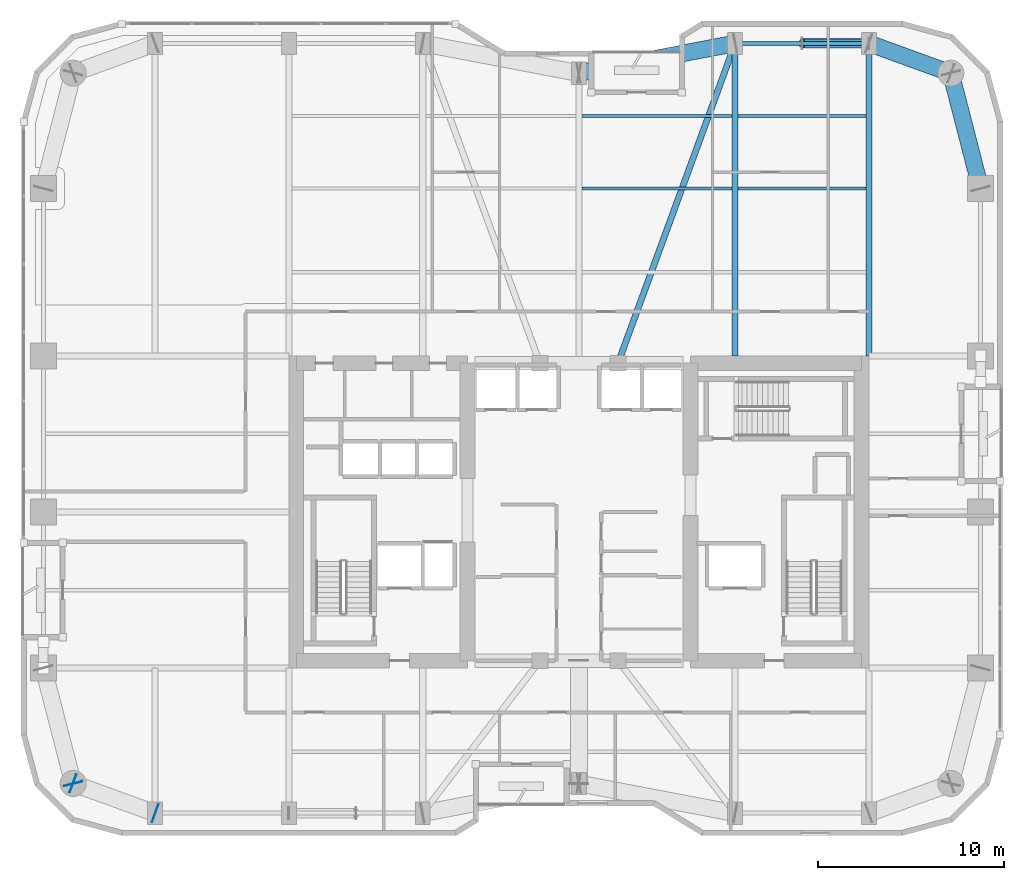
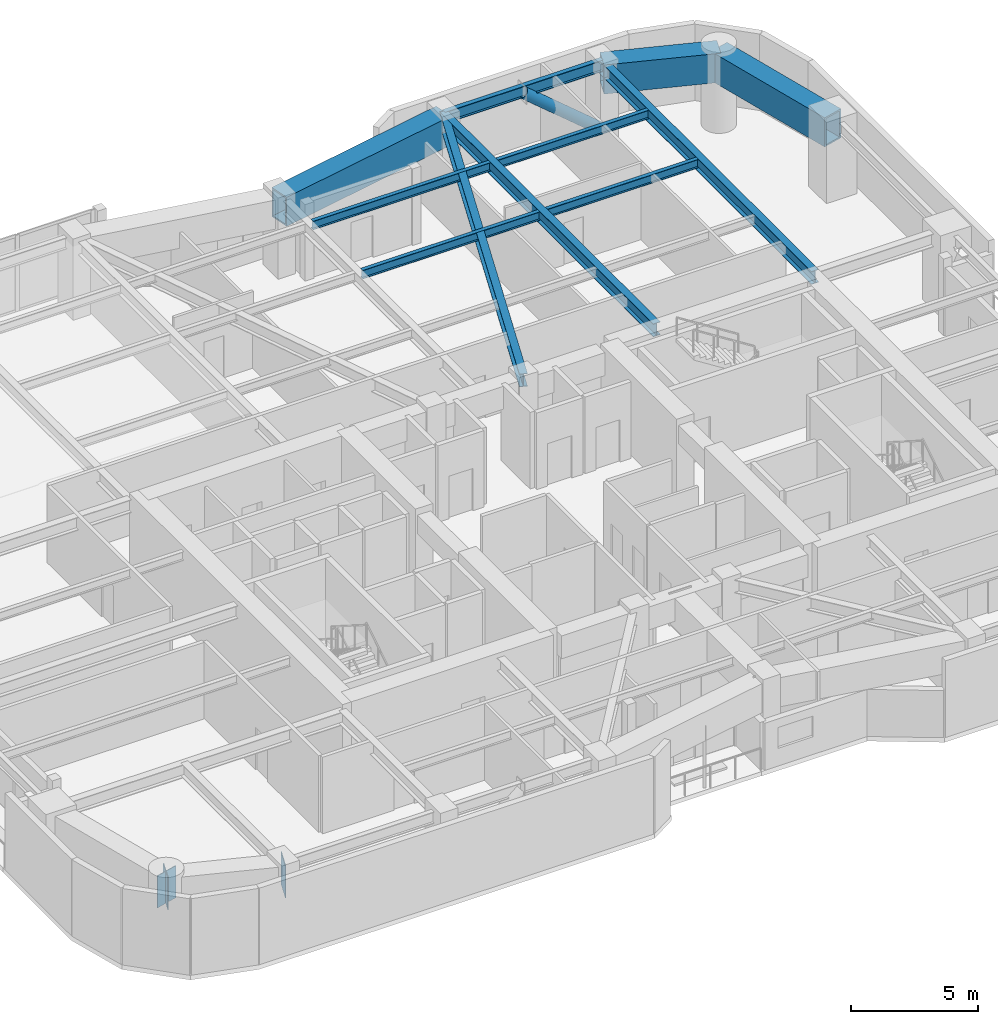
# One storey, part 20 of 30: 11 beams, 3 plates, 1 member.
"""IFC4 building model written with IfcOpenShell, lengths in metres."""

from ifc_helpers import new_model, si_unit, direction, frame, origin, origin_2d, place, context, subcontext, project, spatial, rectangle, hollow_rectangle, hollow_circle, i_section, extrude, material, layer, layer_set, material_profile, profile_set, type_object, element, save


model = new_model("IFC4")

# Units and contexts
model_context = context("Model", 3, precision=1e-05, world=origin(), true_north=direction((0.0, 1.0)))
body_context = subcontext(model_context, "Body", "Model", "MODEL_VIEW")
ifc_project = project(units=[si_unit("LENGTHUNIT", "METRE"), si_unit("AREAUNIT", "SQUARE_METRE"), si_unit("VOLUMEUNIT", "CUBIC_METRE"), si_unit("PLANEANGLEUNIT", "RADIAN"), si_unit("MASSUNIT", "GRAM", prefix="KILO")], contexts=[model_context])

# Site, building, storey
site_placement = place(None, origin())
site = spatial("IfcSite", under=ifc_project, at=site_placement, CompositionType="ELEMENT")
building_placement = place(site_placement, origin())
building = spatial("IfcBuilding", under=site, at=building_placement, Name="Kiyonajd Concourse Tower", CompositionType="ELEMENT")
storey_placement = place(building_placement, frame((0.0, 0.0, 150.60009765625)))
storey = spatial("IfcBuildingStorey", under=building, at=storey_placement, Name="L38", CompositionType="ELEMENT", Elevation=150.60009765625)

# Beams
ifc_material_1 = material(Name="Steel ASTM A992 Grade 50", Category="steel")
ifc_material_profile_1 = material_profile(ifc_material_1, i_section(OverallWidth=0.180908203125, OverallDepth=0.4169921875, WebThickness=0.010986328125, FlangeThickness=0.018310546875, at=origin_2d()), Name="W410X85")
ifc_profile_set_1 = profile_set([ifc_material_profile_1], Name="Steel ASTM A992 Grade 50")
beam_type_1 = type_object("IfcBeamType", Name="BM-JST-410", PredefinedType="JOIST", material=ifc_profile_set_1)
beam_1_placement = place(storey_placement, frame((48.16357421875, 53.39990234375, 3.471435546875), z_axis=(1.0, 0.0, 0.0), x_axis=(0.0, 1.0, 0.0)))
element("IfcBeam", 1, at=beam_1_placement, inside=storey, type_object=beam_type_1, Name="L38 Secondary Floor Joist", PredefinedType="JOIST", context=body_context, shape_type="SweptSolid", body=[
    extrude(i_section(OverallWidth=0.180908203125, OverallDepth=0.4169921875, WebThickness=0.010986328125, FlangeThickness=0.018310546875, at=origin_2d()), origin(), (0.0, 0.0, 1.0), 8.072998046875),
])
beam_2_placement = place(storey_placement, frame((56.5634765625, 53.39990234375, 3.471435546875), z_axis=(1.0, 0.0, 0.0), x_axis=(0.0, 1.0, 0.0)))
element("IfcBeam", 2, at=beam_2_placement, inside=storey, type_object=beam_type_1, Name="L38 Secondary Floor Joist", PredefinedType="JOIST", context=body_context, shape_type="SweptSolid", body=[
    extrude(i_section(OverallWidth=0.180908203125, OverallDepth=0.4169921875, WebThickness=0.010986328125, FlangeThickness=0.018310546875, at=origin_2d()), origin(), (0.0, 0.0, 1.0), 6.873046875),
])
beam_3_placement = place(storey_placement, frame((48.16357421875, 57.300048828125, 3.471435546875), z_axis=(1.0, 0.0, 0.0), x_axis=(0.0, 1.0, 0.0)))
element("IfcBeam", 3, at=beam_3_placement, inside=storey, type_object=beam_type_1, Name="L38 Secondary Floor Joist", PredefinedType="JOIST", context=body_context, shape_type="SweptSolid", body=[
    extrude(i_section(OverallWidth=0.180908203125, OverallDepth=0.4169921875, WebThickness=0.010986328125, FlangeThickness=0.018310546875, at=origin_2d()), origin(), (0.0, 0.0, 1.0), 8.072998046875),
])
beam_4_placement = place(storey_placement, frame((56.5634765625, 57.300048828125, 3.471435546875), z_axis=(1.0, 0.0, 0.0), x_axis=(0.0, 1.0, 0.0)))
element("IfcBeam", 4, at=beam_4_placement, inside=storey, type_object=beam_type_1, Name="L38 Secondary Floor Joist", PredefinedType="JOIST", context=body_context, shape_type="SweptSolid", body=[
    extrude(i_section(OverallWidth=0.180908203125, OverallDepth=0.4169921875, WebThickness=0.010986328125, FlangeThickness=0.018310546875, at=origin_2d()), origin(), (0.0, 0.0, 1.0), 6.873046875),
])
ifc_material_profile_2 = material_profile(ifc_material_1, i_section(OverallWidth=0.214111328125, OverallDepth=0.549072265625, WebThickness=0.0146484375, FlangeThickness=0.023681640625, at=origin_2d()), Name="W530X138")
ifc_profile_set_2 = profile_set([ifc_material_profile_2], Name="Steel ASTM A992 Grade 50")
beam_type_2 = type_object("IfcBeamType", Name="BM-SPAN-530A", PredefinedType="SPANDREL", material=ifc_profile_set_2)
beam_5_placement = place(storey_placement, frame((63.60009765625, 61.199951171875, 3.405517578125), z_axis=(-1.0, 0.0, 0.0), x_axis=(0.0, -1.0, 0.0)))
element("IfcBeam", 5, at=beam_5_placement, inside=storey, type_object=beam_type_2, Name="L38 Perimeter Bundled Tube Spandrel", PredefinedType="SPANDREL", context=body_context, shape_type="SweptSolid", body=[
    extrude(i_section(OverallWidth=0.214111328125, OverallDepth=0.549072265625, WebThickness=0.0146484375, FlangeThickness=0.023681640625, at=origin_2d()), origin(), (0.0, 0.0, 1.0), 7.2001953125),
])
ifc_material_profile_3 = material_profile(ifc_material_1, i_section(OverallWidth=0.326904296875, OverallDepth=0.6220703125, WebThickness=0.015380859375, FlangeThickness=0.0244140625, at=origin_2d()), Name="W610X195")
ifc_profile_set_3 = profile_set([ifc_material_profile_3], Name="Steel ASTM A992 Grade 50")
beam_type_3 = type_object("IfcBeamType", Name="BM-TWR-610A", PredefinedType="BEAM", material=ifc_profile_set_3)
beam_6_placement = place(storey_placement, frame((50.10009765625, 44.0, 3.368896484375), z_axis=(0.343925269715, 0.938997022813, 0.0), x_axis=(-0.938997022813, 0.343925269715, 0.0)))
element("IfcBeam", 6, at=beam_6_placement, inside=storey, type_object=beam_type_3, Name="L38 Core Tie Girder", PredefinedType="BEAM", context=body_context, shape_type="SweptSolid", body=[
    extrude(i_section(OverallWidth=0.326904296875, OverallDepth=0.6220703125, WebThickness=0.015380859375, FlangeThickness=0.0244140625, at=origin_2d()), origin(), (0.0, 0.0, 1.0), 18.3173828125),
])
for number, where, z_axis, x_axis, name in (
    (7, (56.39990234375, 44.39990234375, 3.368896484375), (0.0, 1.0, 0.0), (-1.0, 0.0, 0.0), "L38 North Lease Girder"),
    (8, (63.60009765625, 44.39990234375, 3.368896484375), (0.0, 1.0, 0.0), (-1.0, 0.0, 0.0), "L38 North Lease Girder"),
):
    element("IfcBeam", number, at=place(storey_placement, frame(where, z_axis=z_axis, x_axis=x_axis)), inside=storey, type_object=beam_type_3, Name=name, PredefinedType="BEAM", context=body_context, shape_type="SweptSolid", body=[
        extrude(i_section(OverallWidth=0.326904296875, OverallDepth=0.6220703125, WebThickness=0.015380859375, FlangeThickness=0.0244140625, at=origin_2d()), origin(), (0.0, 0.0, 1.0), 16.800048828125),
    ])
ifc_material_2 = material(Name="Steel ASTM A572 Grade 50", Category="steel")
ifc_material_profile_4 = material_profile(ifc_material_2, hollow_rectangle(XDim=0.89990234375, YDim=1.39990234375, WallThickness=0.070068359375, at=origin_2d()), Name="BOX-1400x900x70")
ifc_profile_set_4 = profile_set([ifc_material_profile_4], Name="Steel ASTM A572 Grade 50")
beam_type_4 = type_object("IfcBeamType", Name="BM-XFER-1400", PredefinedType="BEAM", material=ifc_profile_set_4)
beam_7_placement = place(storey_placement, frame((69.60009765625, 53.39990234375, 2.97998046875), z_axis=(-0.249884937687, 0.968275538221, 0.0), x_axis=(-0.968275538221, -0.249884937687, 0.0)))
element("IfcBeam", 9, at=beam_7_placement, inside=storey, type_object=beam_type_4, Name="L38 Perimeter Bundled Tube Spandrel", PredefinedType="BEAM", context=body_context, shape_type="SweptSolid", body=[
    extrude(hollow_rectangle(XDim=0.89990234375, YDim=1.39990234375, WallThickness=0.070068359375, at=origin_2d()), origin(), (0.0, 0.0, 1.0), 6.4033203125),
])
beam_8_placement = place(storey_placement, frame((68.0, 59.60009765625, 2.97998046875), z_axis=(-0.939801036019, 0.341722127901, 0.0), x_axis=(-0.341722127901, -0.939801036019, 0.0)))
element("IfcBeam", 10, at=beam_8_placement, inside=storey, type_object=beam_type_4, Name="L38 Perimeter Bundled Tube Spandrel", PredefinedType="BEAM", context=body_context, shape_type="SweptSolid", body=[
    extrude(hollow_rectangle(XDim=0.89990234375, YDim=1.39990234375, WallThickness=0.070068359375, at=origin_2d()), origin(), (0.0, 0.0, 1.0), 4.681640625),
])
beam_9_placement = place(storey_placement, frame((56.39990234375, 61.199951171875, 2.97998046875), z_axis=(-0.982341315253, -0.187097675953, 0.0), x_axis=(0.187097675953, -0.982341315253, 0.0)))
element("IfcBeam", 11, at=beam_9_placement, inside=storey, type_object=beam_type_4, Name="L38 Perimeter Bundled Tube Spandrel", PredefinedType="BEAM", context=body_context, shape_type="SweptSolid", body=[
    extrude(hollow_rectangle(XDim=0.89990234375, YDim=1.39990234375, WallThickness=0.070068359375, at=origin_2d()), origin(), (0.0, 0.0, 1.0), 8.55078125),
])

# Member
ifc_material_3 = material(Name="Steel ASTM A500 Grade C", Category="steel")
ifc_material_profile_5 = material_profile(ifc_material_3, hollow_circle(Radius=0.25390625, WallThickness=0.02197265625, at=origin_2d()), Name="CHS-508x22")
ifc_profile_set_5 = profile_set([ifc_material_profile_5], Name="Steel ASTM A500 Grade C")
member_type = type_object("IfcMemberType", Name="MB-PB-MID", PredefinedType="BRACE", material=ifc_profile_set_5)
member_placement = place(storey_placement, frame((63.60009765625, 61.199951171875, 0.2998046875), z_axis=(-0.765082043761, 0.0, 0.643932811957), x_axis=(0.0, -1.0, 0.0)))
element("IfcMember", 12, at=member_placement, inside=storey, type_object=member_type, Name="L38 Upper Zone Hollow Tube Brace PBN", PredefinedType="BRACE", context=body_context, shape_type="SweptSolid", body=[
    extrude(hollow_circle(Radius=0.25390625, WallThickness=0.02197265625, at=origin_2d()), origin(), (0.0, 0.0, 1.0), 4.70556640625),
])

# Plates
ifc_layer = layer(ifc_material_2, 0.031982421875)
ifc_layer_set = layer_set([ifc_layer], Name="Steel ASTM A572 Grade 50")
plate_type = type_object("IfcPlateType", Name="PL-CAP-540", PredefinedType="USERDEFINED", material=ifc_layer_set)
for number, where, z_axis, x_axis, name in (
    (13, (20.802734375, 21.389404296875, 2.2099609375), (0.0, 0.0, 1.0), (0.249873048837, -0.968278606324, 0.0), "L38 Welded Box Girder End Cap"),
    (14, (20.789794921875, 21.40380859375, 2.2099609375), (0.0, 0.0, 1.0), (-0.939811951086, 0.341692107891, 0.0), "L38 Welded Box Girder End Cap"),
    (15, (25.210205078125, 19.796142578125, 2.2099609375), (0.0, 0.0, 1.0), (0.939811951086, -0.341692107891, 0.0), "L38 Welded Box Girder End Cap"),
):
    element("IfcPlate", number, at=place(storey_placement, frame(where, z_axis=z_axis, x_axis=x_axis)), inside=storey, type_object=plate_type, Name=name, ObjectType="CAP PLATE", PredefinedType="USERDEFINED", context=body_context, shape_type="SweptSolid", body=[
        extrude(rectangle(XDim=0.035888671875, YDim=1.02001953125, at=origin_2d()), origin(), (0.0, 0.0, 1.0), 1.5400390625),
    ])

save(model, "model.ifc")
